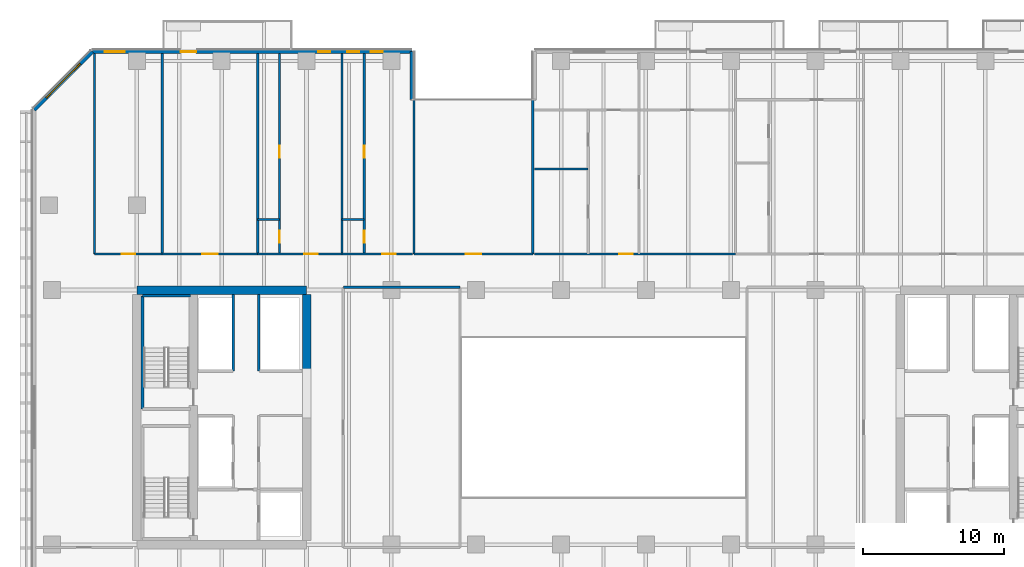
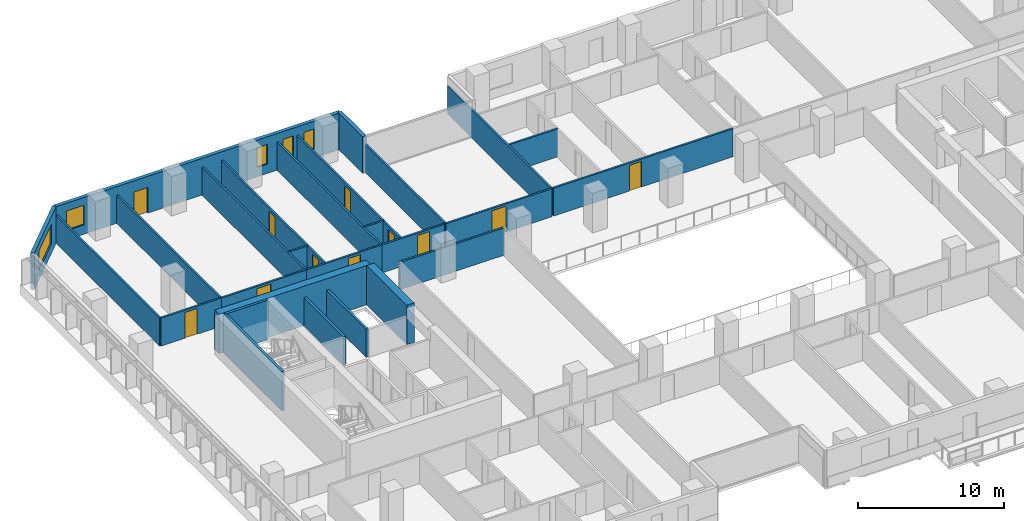
# One storey, part 13 of 26: 27 walls, 11 doors, 5 windows, 16 openings.
"""IFC4 building model written with IfcOpenShell, lengths in metres."""

from ifc_helpers import new_model, si_unit, direction, frame, frame_2d, origin, place, context, subcontext, project, spatial, rectangle, extrude, material, layer, layer_set, type_object, element, fill, save


model = new_model("IFC4")

# Units and contexts
model_context = context("Model", 3, precision=1e-05, world=origin(), true_north=direction((0.0, 1.0)))
body_context = subcontext(model_context, "Body", "Model", "MODEL_VIEW")
ifc_project = project(units=[si_unit("LENGTHUNIT", "METRE"), si_unit("AREAUNIT", "SQUARE_METRE"), si_unit("VOLUMEUNIT", "CUBIC_METRE"), si_unit("PLANEANGLEUNIT", "RADIAN"), si_unit("MASSUNIT", "GRAM", prefix="KILO")], contexts=[model_context])

# Site, building, storey
site_placement = place(None, origin())
site = spatial("IfcSite", under=ifc_project, at=site_placement, CompositionType="ELEMENT")
building_placement = place(site_placement, origin())
building = spatial("IfcBuilding", under=site, at=building_placement, Name="Tanjung Sevakor Pilgrim Tower", CompositionType="ELEMENT")
storey_placement = place(building_placement, frame((0.0, 0.0, 48.840087890625)))
storey = spatial("IfcBuildingStorey", under=building, at=storey_placement, Name="L13", CompositionType="ELEMENT", Elevation=48.840087890625)

# Walls
ifc_material_1 = material(Name="Concrete C60/75", Category="concrete")
ifc_layer_1 = layer(ifc_material_1, 0.60009765625)
ifc_layer_set_1 = layer_set([ifc_layer_1], Name="WALL-CW-600")
wall_type_1 = type_object("IfcWallType", Name="WALL-CW-600", PredefinedType="SHEAR", material=ifc_layer_set_1)
wall_1_placement = place(storey_placement, frame((36.0, 42.60009765625, 0.0), z_axis=(0.0, 0.0, 1.0), x_axis=(-1.0, 0.0, 0.0)))
element("IfcWall", 1, at=wall_1_placement, inside=storey, type_object=wall_type_1, Name="L13 W Core North Shear Wall", PredefinedType="SHEAR", context=body_context, shape_type="SweptSolid", body=[
    extrude(rectangle(XDim=12.0, YDim=0.60009765625, at=frame_2d((6.0, 0.0))), origin(), (0.0, 0.0, 1.0), 3.2998046875),
])
wall_2_placement = place(storey_placement, frame((36.0, 36.800048828125, 0.0), z_axis=(0.0, 0.0, 1.0), x_axis=(0.0, 1.0, 0.0)))
element("IfcWall", 2, at=wall_2_placement, inside=storey, type_object=wall_type_1, Name="L13 W Core Inner Shear Wall North", PredefinedType="SHEAR", context=body_context, shape_type="SweptSolid", body=[
    extrude(rectangle(XDim=5.5, YDim=0.60009765625, at=frame_2d((2.75, 0.0))), origin(), (0.0, 0.0, 1.0), 3.2998046875),
])
ifc_material_2 = material(Name="Concrete C40/50", Category="concrete")
ifc_layer_2 = layer(ifc_material_2, 0.14990234375)
ifc_layer_set_2 = layer_set([ifc_layer_2], Name="WT-COMP-150")
wall_type_2 = type_object("IfcWallType", Name="WT-COMP-150", PredefinedType="SOLIDWALL", material=ifc_layer_set_2)
wall_3_placement = place(storey_placement, frame((38.60009765625, 42.800048828125, 0.0), z_axis=(0.0, 0.0, 1.0), x_axis=(1.0, 0.0, 0.0)))
element("IfcWall", 3, at=wall_3_placement, inside=storey, type_object=wall_type_2, Name="L13 Partition IW-L13-022", PredefinedType="SOLIDWALL", context=body_context, shape_type="SweptSolid", body=[
    extrude(rectangle(XDim=8.25, YDim=0.14990234375, at=frame_2d((4.125, 0.0))), origin(), (0.0, 0.0, 1.0), 2.295166015625),
])

# Wall, opening, door
wall_4_placement = place(storey_placement, frame((43.60009765625, 45.14990234375, 0.0), z_axis=(0.0, 0.0, 1.0), x_axis=(1.0, 0.0, 0.0)))
wall_4 = element("IfcWall", 4, at=wall_4_placement, inside=storey, type_object=wall_type_2, Name="L13 Partition IW-L13-039", PredefinedType="SOLIDWALL", context=body_context, shape_type="SweptSolid", body=[
    extrude(rectangle(XDim=8.39990234375, YDim=0.14990234375, at=frame_2d((4.199951171875, 0.0))), origin(), (0.0, 0.0, 1.0), 2.35009765625),
])
opening_1_placement = place(wall_4_placement, frame((3.64990234375, 0.0, 0.0)))
opening_1 = element("IfcOpeningElement", 5, at=opening_1_placement, cuts=wall_4, Name="Opening ID-RM2", PredefinedType="OPENING", context=body_context, shape_type="SweptSolid", body=[
    extrude(rectangle(XDim=1.10009765625, YDim=2.14990234375, at=frame_2d((0.550048828125, 1.074951171875))), frame((0.0, 0.0849609375, 0.0), z_axis=(0.0, -1.0, 0.0), x_axis=(1.0, 0.0, 0.0)), (0.0, 0.0, 1.0), 0.169921875),
])
ifc_material_3 = material(Name="Hardwood Timber", Category="wood")
door_type_1 = type_object("IfcDoorType", Name="DT-INT-1100", OperationType="NOTDEFINED", PredefinedType="DOOR", material=ifc_material_3)
door_1_placement = place(opening_1_placement, origin())
door_1 = element("IfcDoor", 6, at=door_1_placement, inside=storey, type_object=door_type_1, Name="L13 North Cleft Seminar Room Door", OperationType="SINGLE_SWING_LEFT", OverallHeight=2.14990234375, OverallWidth=1.10009765625, PredefinedType="DOOR", context=body_context, shape_type="SweptSolid", body=[
    extrude(rectangle(XDim=1.10009765625, YDim=2.14990234375, at=frame_2d((0.550048828125, 1.074951171875))), frame((0.0, 0.02490234375, 0.0), z_axis=(0.0, -1.0, 0.0), x_axis=(1.0, 0.0, 0.0)), (0.0, 0.0, 1.0), 0.050048828125),
])
fill(opening_1, door_1)

# Walls
for number, where, z_axis, x_axis, name in (
    (7, (43.60009765625, 45.14990234375, 0.0), (0.0, 0.0, 1.0), (0.0, 1.0, 0.0), "L13 Partition IW-L13-040"),
    (8, (52.0, 45.14990234375, 0.0), (0.0, 0.0, 1.0), (0.0, 1.0, 0.0), "L13 Partition IW-L13-041"),
    (9, (21.0, 45.14990234375, 0.0), (0.0, 0.0, 1.0), (0.0, 1.0, 0.0), "L13 Partition IW-L13-077"),
    (10, (25.798095703125, 45.14990234375, 0.0), (0.0, 0.0, 1.0), (0.0, 1.0, 0.0), "L13 Partition IW-L13-078"),
):
    element("IfcWall", number, at=place(storey_placement, frame(where, z_axis=z_axis, x_axis=x_axis)), inside=storey, type_object=wall_type_2, Name=name, PredefinedType="SOLIDWALL", context=body_context, shape_type="SweptSolid", body=[
        extrude(rectangle(XDim=14.170166015625, YDim=0.14990234375, at=frame_2d((7.0849609375, 0.0))), origin(), (0.0, 0.0, 1.0), 2.35009765625),
    ])

# Wall, opening, door
wall_5_placement = place(storey_placement, frame((21.0, 45.14990234375, 0.0), z_axis=(0.0, 0.0, 1.0), x_axis=(1.0, 0.0, 0.0)))
wall_5 = element("IfcWall", 11, at=wall_5_placement, inside=storey, type_object=wall_type_2, Name="L13 Partition IW-L13-079", PredefinedType="SOLIDWALL", context=body_context, shape_type="SweptSolid", body=[
    extrude(rectangle(XDim=4.798095703125, YDim=0.14990234375, at=frame_2d((2.39892578125, 0.0))), origin(), (0.0, 0.0, 1.0), 2.35009765625),
])
opening_2_placement = place(wall_5_placement, frame((1.924072265625, 0.0, 0.0)))
opening_2 = element("IfcOpeningElement", 12, at=opening_2_placement, cuts=wall_5, Name="Opening ID-FD2", PredefinedType="OPENING", context=body_context, shape_type="SweptSolid", body=[
    extrude(rectangle(XDim=0.949951171875, YDim=2.14990234375, at=frame_2d((0.47509765625, 1.074951171875))), frame((0.0, 0.0849609375, 0.0), z_axis=(0.0, -1.0, 0.0), x_axis=(1.0, 0.0, 0.0)), (0.0, 0.0, 1.0), 0.169921875),
])
ifc_material_4 = material(Name="Fire-Rated Timber", Category="wood")
door_type_2 = type_object("IfcDoorType", Name="DT-FIRE-950", OperationType="NOTDEFINED", PredefinedType="DOOR", material=ifc_material_4)
door_2_placement = place(opening_2_placement, origin())
door_2 = element("IfcDoor", 13, at=door_2_placement, inside=storey, type_object=door_type_2, Name="Study Room Entrance", OperationType="SINGLE_SWING_RIGHT", OverallHeight=2.14990234375, OverallWidth=0.949951171875, PredefinedType="DOOR", context=body_context, shape_type="SweptSolid", body=[
    extrude(rectangle(XDim=0.949951171875, YDim=2.14990234375, at=frame_2d((0.47509765625, 1.074951171875))), frame((0.0, 0.02490234375, 0.0), z_axis=(0.0, -1.0, 0.0), x_axis=(1.0, 0.0, 0.0)), (0.0, 0.0, 1.0), 0.050048828125),
])
fill(opening_2, door_2)

# Wall
wall_6_placement = place(storey_placement, frame((32.551025390625, 45.14990234375, 0.0), z_axis=(0.0, 0.0, 1.0), x_axis=(0.0, 1.0, 0.0)))
element("IfcWall", 14, at=wall_6_placement, inside=storey, type_object=wall_type_2, Name="L13 Partition IW-L13-080", PredefinedType="SOLIDWALL", context=body_context, shape_type="SweptSolid", body=[
    extrude(rectangle(XDim=14.170166015625, YDim=0.14990234375, at=frame_2d((7.0849609375, 0.0))), origin(), (0.0, 0.0, 1.0), 2.35009765625),
])

# Wall, opening, door
wall_7_placement = place(storey_placement, frame((25.798095703125, 45.14990234375, 0.0), z_axis=(0.0, 0.0, 1.0), x_axis=(1.0, 0.0, 0.0)))
wall_7 = element("IfcWall", 15, at=wall_7_placement, inside=storey, type_object=wall_type_2, Name="L13 Partition IW-L13-081", PredefinedType="SOLIDWALL", context=body_context, shape_type="SweptSolid", body=[
    extrude(rectangle(XDim=6.7529296875, YDim=0.14990234375, at=frame_2d((3.37646484375, 0.0))), origin(), (0.0, 0.0, 1.0), 2.35009765625),
])
opening_3_placement = place(wall_7_placement, frame((2.826416015625, 0.0, 0.0)))
opening_3 = element("IfcOpeningElement", 16, at=opening_3_placement, cuts=wall_7, Name="Opening ID-FD0", PredefinedType="OPENING", context=body_context, shape_type="SweptSolid", body=[
    extrude(rectangle(XDim=1.10009765625, YDim=2.14990234375, at=frame_2d((0.550048828125, 1.074951171875))), frame((0.0, 0.0849609375, 0.0), z_axis=(0.0, -1.0, 0.0), x_axis=(1.0, 0.0, 0.0)), (0.0, 0.0, 1.0), 0.169921875),
])
ifc_material_5 = material(Name="Fire-Rated Steel S355J2", Category="steel")
door_type_3 = type_object("IfcDoorType", Name="DT-FIRE-1100", OperationType="NOTDEFINED", PredefinedType="DOOR", material=ifc_material_5)
door_3_placement = place(opening_3_placement, origin())
door_3 = element("IfcDoor", 17, at=door_3_placement, inside=storey, type_object=door_type_3, Name="Communal Lounge Door", OperationType="SINGLE_SWING_LEFT", OverallHeight=2.14990234375, OverallWidth=1.10009765625, PredefinedType="DOOR", context=body_context, shape_type="SweptSolid", body=[
    extrude(rectangle(XDim=1.10009765625, YDim=2.14990234375, at=frame_2d((0.550048828125, 1.074951171875))), frame((0.0, 0.02490234375, 0.0), z_axis=(0.0, -1.0, 0.0), x_axis=(1.0, 0.0, 0.0)), (0.0, 0.0, 1.0), 0.050048828125),
])
fill(opening_3, door_3)

# Wall
wall_8_placement = place(storey_placement, frame((38.504150390625, 45.14990234375, 0.0), z_axis=(0.0, 0.0, 1.0), x_axis=(0.0, 1.0, 0.0)))
element("IfcWall", 18, at=wall_8_placement, inside=storey, type_object=wall_type_2, Name="L13 Partition IW-L13-082", PredefinedType="SOLIDWALL", context=body_context, shape_type="SweptSolid", body=[
    extrude(rectangle(XDim=14.170166015625, YDim=0.14990234375, at=frame_2d((7.0849609375, 0.0))), origin(), (0.0, 0.0, 1.0), 2.35009765625),
])

# Wall, opening, door
wall_9_placement = place(storey_placement, frame((32.551025390625, 45.14990234375, 0.0), z_axis=(0.0, 0.0, 1.0), x_axis=(1.0, 0.0, 0.0)))
wall_9 = element("IfcWall", 19, at=wall_9_placement, inside=storey, type_object=wall_type_2, Name="L13 Partition IW-L13-085", PredefinedType="SOLIDWALL", context=body_context, shape_type="SweptSolid", body=[
    extrude(rectangle(XDim=5.953125, YDim=0.14990234375, at=frame_2d((2.9765625, 0.0))), origin(), (0.0, 0.0, 1.0), 2.35009765625),
])
opening_4_placement = place(wall_9_placement, frame((3.30615234375, 0.0, 0.0)))
opening_4 = element("IfcOpeningElement", 20, at=opening_4_placement, cuts=wall_9, Name="Opening ID-FD2", PredefinedType="OPENING", context=body_context, shape_type="SweptSolid", body=[
    extrude(rectangle(XDim=0.949951171875, YDim=2.14990234375, at=frame_2d((0.47509765625, 1.074951171875))), frame((0.0, 0.0849609375, 0.0), z_axis=(0.0, -1.0, 0.0), x_axis=(1.0, 0.0, 0.0)), (0.0, 0.0, 1.0), 0.169921875),
])
door_4_placement = place(opening_4_placement, origin())
door_4 = element("IfcDoor", 21, at=door_4_placement, inside=storey, type_object=door_type_2, Name="Hotel Guestroom Entrance", OperationType="SINGLE_SWING_RIGHT", OverallHeight=2.14990234375, OverallWidth=0.949951171875, PredefinedType="DOOR", context=body_context, shape_type="SweptSolid", body=[
    extrude(rectangle(XDim=0.949951171875, YDim=2.14990234375, at=frame_2d((0.47509765625, 1.074951171875))), frame((0.0, 0.02490234375, 0.0), z_axis=(0.0, -1.0, 0.0), x_axis=(1.0, 0.0, 0.0)), (0.0, 0.0, 1.0), 0.050048828125),
])
fill(opening_4, door_4)

wall_10_placement = place(storey_placement, frame((38.504150390625, 45.14990234375, 0.0), z_axis=(0.0, 0.0, 1.0), x_axis=(1.0, 0.0, 0.0)))
wall_10 = element("IfcWall", 22, at=wall_10_placement, inside=storey, type_object=wall_type_2, Name="L13 Partition IW-L13-088", PredefinedType="SOLIDWALL", context=body_context, shape_type="SweptSolid", body=[
    extrude(rectangle(XDim=4.975830078125, YDim=0.14990234375, at=frame_2d((2.48779296875, 0.0))), origin(), (0.0, 0.0, 1.0), 2.35009765625),
])
opening_5_placement = place(wall_10_placement, frame((2.8408203125, 0.0, 0.0)))
opening_5 = element("IfcOpeningElement", 23, at=opening_5_placement, cuts=wall_10, Name="Opening ID-FD2", PredefinedType="OPENING", context=body_context, shape_type="SweptSolid", body=[
    extrude(rectangle(XDim=0.949951171875, YDim=2.14990234375, at=frame_2d((0.47509765625, 1.074951171875))), frame((0.0, 0.0849609375, 0.0), z_axis=(0.0, -1.0, 0.0), x_axis=(1.0, 0.0, 0.0)), (0.0, 0.0, 1.0), 0.169921875),
])
door_5_placement = place(opening_5_placement, origin())
door_5 = element("IfcDoor", 24, at=door_5_placement, inside=storey, type_object=door_type_2, Name="Hostel Quad Entrance", OperationType="SINGLE_SWING_LEFT", OverallHeight=2.14990234375, OverallWidth=0.949951171875, PredefinedType="DOOR", context=body_context, shape_type="SweptSolid", body=[
    extrude(rectangle(XDim=0.949951171875, YDim=2.14990234375, at=frame_2d((0.47509765625, 1.074951171875))), frame((0.0, 0.02490234375, 0.0), z_axis=(0.0, -1.0, 0.0), x_axis=(1.0, 0.0, 0.0)), (0.0, 0.0, 1.0), 0.050048828125),
])
fill(opening_5, door_5)

wall_11_placement = place(storey_placement, frame((52.1201171875, 45.14990234375, 0.0), z_axis=(0.0, 0.0, 1.0), x_axis=(1.0, 0.0, 0.0)))
wall_11 = element("IfcWall", 25, at=wall_11_placement, inside=storey, type_object=wall_type_2, Name="L13 Partition IW-L13-096", PredefinedType="SOLIDWALL", context=body_context, shape_type="SweptSolid", body=[
    extrude(rectangle(XDim=14.22119140625, YDim=0.14990234375, at=frame_2d((7.110595703125, 0.0))), origin(), (0.0, 0.0, 1.0), 2.35009765625),
])
opening_6_placement = place(wall_11_placement, frame((5.995361328125, 0.0, 0.0)))
opening_6 = element("IfcOpeningElement", 26, at=opening_6_placement, cuts=wall_11, Name="Opening ID-FD2", PredefinedType="OPENING", context=body_context, shape_type="SweptSolid", body=[
    extrude(rectangle(XDim=0.949951171875, YDim=2.14990234375, at=frame_2d((0.47509765625, 1.074951171875))), frame((0.0, 0.0849609375, 0.0), z_axis=(0.0, -1.0, 0.0), x_axis=(1.0, 0.0, 0.0)), (0.0, 0.0, 1.0), 0.169921875),
])
door_6_placement = place(opening_6_placement, origin())
door_6 = element("IfcDoor", 27, at=door_6_placement, inside=storey, type_object=door_type_2, Name="Suite Entrance", OperationType="SINGLE_SWING_LEFT", OverallHeight=2.14990234375, OverallWidth=0.949951171875, PredefinedType="DOOR", context=body_context, shape_type="SweptSolid", body=[
    extrude(rectangle(XDim=0.949951171875, YDim=2.14990234375, at=frame_2d((0.47509765625, 1.074951171875))), frame((0.0, 0.02490234375, 0.0), z_axis=(0.0, -1.0, 0.0), x_axis=(1.0, 0.0, 0.0)), (0.0, 0.0, 1.0), 0.050048828125),
])
fill(opening_6, door_6)

# Wall
ifc_material_6 = material(Name="Precast concrete C45/55", Category="concrete")
ifc_layer_3 = layer(ifc_material_6, 0.280029296875)
ifc_layer_set_3 = layer_set([ifc_layer_3], Name="WT-EW-STN2")
wall_type_3 = type_object("IfcWallType", Name="WT-EW-STN2", PredefinedType="SOLIDWALL", material=ifc_layer_set_3)
wall_12_placement = place(storey_placement, frame((43.4599609375, 56.06005859375, 0.0), z_axis=(0.0, 0.0, 1.0), x_axis=(0.0, 1.0, 0.0)))
element("IfcWall", 28, at=wall_12_placement, inside=storey, type_object=wall_type_3, Name="L13 MAIN Exterior Wall 12", PredefinedType="SOLIDWALL", context=body_context, shape_type="SweptSolid", body=[
    extrude(rectangle(XDim=3.39990234375, YDim=0.280029296875, at=frame_2d((1.699951171875, 0.0))), origin(), (0.0, 0.0, 1.0), 3.080078125),
])

# Wall, openings, door, windows
wall_13_placement = place(storey_placement, frame((43.4599609375, 59.4599609375, 0.0), z_axis=(0.0, 0.0, 1.0), x_axis=(-1.0, 0.0, 0.0)))
wall_13 = element("IfcWall", 29, at=wall_13_placement, inside=storey, type_object=wall_type_3, Name="L13 MAIN Exterior Wall 13", PredefinedType="SOLIDWALL", context=body_context, shape_type="SweptSolid", body=[
    extrude(rectangle(XDim=22.60205078125, YDim=0.280029296875, at=frame_2d((11.301025390625, 0.0))), origin(), (0.0, 0.0, 1.0), 3.080078125),
])
opening_7_placement = place(wall_13_placement, frame((15.260009765625, 0.0, 0.0)))
opening_7 = element("IfcOpeningElement", 30, at=opening_7_placement, cuts=wall_13, Name="Opening ED-BAL-1100", PredefinedType="OPENING", context=body_context, shape_type="SweptSolid", body=[
    extrude(rectangle(XDim=1.10009765625, YDim=2.14990234375, at=frame_2d((0.550048828125, 1.074951171875))), frame((0.0, 0.14990234375, 0.0), z_axis=(0.0, -1.0, 0.0), x_axis=(1.0, 0.0, 0.0)), (0.0, 0.0, 1.0), 0.300048828125),
])
opening_8_placement = place(wall_13_placement, frame((20.321044921875, 0.0, 0.780029296875)))
opening_8 = element("IfcOpeningElement", 31, at=opening_8_placement, cuts=wall_13, Name="Opening WN-END", PredefinedType="OPENING", context=body_context, shape_type="SweptSolid", body=[
    extrude(rectangle(XDim=1.39990234375, YDim=1.64990234375, at=frame_2d((0.699951171875, 0.824951171875))), frame((0.0, 0.14990234375, 0.0), z_axis=(0.0, -1.0, 0.0), x_axis=(1.0, 0.0, 0.0)), (0.0, 0.0, 1.0), 0.300048828125),
])
opening_9_placement = place(wall_13_placement, frame((5.79296875, 0.0, 0.780029296875)))
opening_9 = element("IfcOpeningElement", 32, at=opening_9_placement, cuts=wall_13, Name="Opening WN-SLM", PredefinedType="OPENING", context=body_context, shape_type="SweptSolid", body=[
    extrude(rectangle(XDim=0.85009765625, YDim=1.64990234375, at=frame_2d((0.425048828125, 0.824951171875))), frame((0.0, 0.14990234375, 0.0), z_axis=(0.0, -1.0, 0.0), x_axis=(1.0, 0.0, 0.0)), (0.0, 0.0, 1.0), 0.300048828125),
])
opening_10_placement = place(wall_13_placement, frame((3.73291015625, 0.0, 0.780029296875)))
opening_10 = element("IfcOpeningElement", 33, at=opening_10_placement, cuts=wall_13, Name="Opening WN-SLM", PredefinedType="OPENING", context=body_context, shape_type="SweptSolid", body=[
    extrude(rectangle(XDim=0.85009765625, YDim=1.64990234375, at=frame_2d((0.425048828125, 0.824951171875))), frame((0.0, 0.14990234375, 0.0), z_axis=(0.0, -1.0, 0.0), x_axis=(1.0, 0.0, 0.0)), (0.0, 0.0, 1.0), 0.300048828125),
])
opening_11_placement = place(wall_13_placement, frame((2.06494140625, 0.0, 0.780029296875)))
opening_11 = element("IfcOpeningElement", 34, at=opening_11_placement, cuts=wall_13, Name="Opening WN-SLM", PredefinedType="OPENING", context=body_context, shape_type="SweptSolid", body=[
    extrude(rectangle(XDim=0.85009765625, YDim=1.64990234375, at=frame_2d((0.425048828125, 0.824951171875))), frame((0.0, 0.14990234375, 0.0), z_axis=(0.0, -1.0, 0.0), x_axis=(1.0, 0.0, 0.0)), (0.0, 0.0, 1.0), 0.300048828125),
])
ifc_material_7 = material(Name="Anodised Aluminium and Laminated Glass", Category="aluminium")
door_type_4 = type_object("IfcDoorType", Name="DTYP-ED-BAL-1100", OperationType="NOTDEFINED", PredefinedType="DOOR", material=ifc_material_7)
door_7_placement = place(opening_7_placement, frame((1.10009765625, 0.0, 0.0), z_axis=(0.0, 0.0, 1.0), x_axis=(-1.0, 0.0, 0.0)))
door_7 = element("IfcDoor", 35, at=door_7_placement, inside=storey, type_object=door_type_4, Name="L13 Balcony Door MAIN-N1", OperationType="SINGLE_SWING_LEFT", OverallHeight=2.14990234375, OverallWidth=1.10009765625, PredefinedType="DOOR", context=body_context, shape_type="SweptSolid", body=[
    extrude(rectangle(XDim=1.10009765625, YDim=2.14990234375, at=frame_2d((0.550048828125, 1.074951171875))), frame((0.0, 0.02490234375, 0.0), z_axis=(0.0, -1.0, 0.0), x_axis=(1.0, 0.0, 0.0)), (0.0, 0.0, 1.0), 0.050048828125),
])
fill(opening_7, door_7)
ifc_material_8 = material(Name="Thermally Broken Aluminium and Low-E Glass", Category="aluminium")
window_type_1 = type_object("IfcWindowType", Name="WTYP-WN-END", PartitioningType="SINGLE_PANEL", PredefinedType="WINDOW", material=ifc_material_8)
window_1_placement = place(opening_8_placement, origin())
window_1 = element("IfcWindow", 36, at=window_1_placement, inside=storey, type_object=window_type_1, Name="L13 Facade Window 01", OverallHeight=1.64990234375, OverallWidth=1.39990234375, PartitioningType="SINGLE_PANEL", PredefinedType="WINDOW", context=body_context, shape_type="SweptSolid", body=[
    extrude(rectangle(XDim=1.39990234375, YDim=1.64990234375, at=frame_2d((0.699951171875, 0.824951171875))), frame((0.0, 0.030029296875, 0.0), z_axis=(0.0, -1.0, 0.0), x_axis=(1.0, 0.0, 0.0)), (0.0, 0.0, 1.0), 0.06005859375),
])
fill(opening_8, window_1)
ifc_material_9 = material(Name="Thermally Broken Aluminium and Low-E Glass", Category="aluminium")
window_type_2 = type_object("IfcWindowType", Name="WTYP-WN-SLM", PartitioningType="SINGLE_PANEL", PredefinedType="WINDOW", material=ifc_material_9)
window_2_placement = place(opening_9_placement, origin())
window_2 = element("IfcWindow", 37, at=window_2_placement, inside=storey, type_object=window_type_2, Name="L13 Facade Window 02", OverallHeight=1.64990234375, OverallWidth=0.85009765625, PartitioningType="SINGLE_PANEL", PredefinedType="WINDOW", context=body_context, shape_type="SweptSolid", body=[
    extrude(rectangle(XDim=0.85009765625, YDim=1.64990234375, at=frame_2d((0.425048828125, 0.824951171875))), frame((0.0, 0.030029296875, 0.0), z_axis=(0.0, -1.0, 0.0), x_axis=(1.0, 0.0, 0.0)), (0.0, 0.0, 1.0), 0.06005859375),
])
fill(opening_9, window_2)
window_3_placement = place(opening_10_placement, origin())
window_3 = element("IfcWindow", 38, at=window_3_placement, inside=storey, type_object=window_type_2, Name="L13 Facade Window 03", OverallHeight=1.64990234375, OverallWidth=0.85009765625, PartitioningType="SINGLE_PANEL", PredefinedType="WINDOW", context=body_context, shape_type="SweptSolid", body=[
    extrude(rectangle(XDim=0.85009765625, YDim=1.64990234375, at=frame_2d((0.425048828125, 0.824951171875))), frame((0.0, 0.030029296875, 0.0), z_axis=(0.0, -1.0, 0.0), x_axis=(1.0, 0.0, 0.0)), (0.0, 0.0, 1.0), 0.06005859375),
])
fill(opening_10, window_3)
window_4_placement = place(opening_11_placement, origin())
window_4 = element("IfcWindow", 39, at=window_4_placement, inside=storey, type_object=window_type_2, Name="L13 Facade Window 04", OverallHeight=1.64990234375, OverallWidth=0.85009765625, PartitioningType="SINGLE_PANEL", PredefinedType="WINDOW", context=body_context, shape_type="SweptSolid", body=[
    extrude(rectangle(XDim=0.85009765625, YDim=1.64990234375, at=frame_2d((0.425048828125, 0.824951171875))), frame((0.0, 0.030029296875, 0.0), z_axis=(0.0, -1.0, 0.0), x_axis=(1.0, 0.0, 0.0)), (0.0, 0.0, 1.0), 0.06005859375),
])
fill(opening_11, window_4)

# Wall, opening, window
wall_14_placement = place(storey_placement, frame((20.85791015625, 59.4599609375, 0.0), z_axis=(0.0, 0.0, 1.0), x_axis=(-0.707106781187, -0.707106781187, 0.0)))
wall_14 = element("IfcWall", 40, at=wall_14_placement, inside=storey, type_object=wall_type_3, Name="L13 MAIN Sculpted Corner Wall 13", PredefinedType="SOLIDWALL", context=body_context, shape_type="SweptSolid", body=[
    extrude(rectangle(XDim=5.82373046875, YDim=0.280029296875, at=frame_2d((2.911865234375, 0.0))), origin(), (0.0, 0.0, 1.0), 3.080078125),
])
opening_12_placement = place(wall_14_placement, frame((1.2119140625, 0.0, 0.780029296875)))
opening_12 = element("IfcOpeningElement", 41, at=opening_12_placement, cuts=wall_14, Name="Opening WN-CHM-1660", PredefinedType="OPENING", context=body_context, shape_type="SweptSolid", body=[
    extrude(rectangle(XDim=3.39990234375, YDim=1.659912109375, at=frame_2d((1.699951171875, 0.830078125))), frame((0.0, 0.14990234375, 0.0), z_axis=(0.0, -1.0, 0.0), x_axis=(1.0, 0.0, 0.0)), (0.0, 0.0, 1.0), 0.300048828125),
])
ifc_material_10 = material(Name="Thermally Broken Aluminium and Low-E Glass", Category="aluminium")
window_type_3 = type_object("IfcWindowType", Name="WTYP-WN-CHM-1660", PartitioningType="DOUBLE_PANEL_VERTICAL", PredefinedType="WINDOW", material=ifc_material_10)
window_5_placement = place(opening_12_placement, origin())
window_5 = element("IfcWindow", 42, at=window_5_placement, inside=storey, type_object=window_type_3, Name="L13 Facade Window 01", OverallHeight=1.659912109375, OverallWidth=3.39990234375, PartitioningType="SINGLE_PANEL", PredefinedType="WINDOW", context=body_context, shape_type="SweptSolid", body=[
    extrude(rectangle(XDim=3.39990234375, YDim=1.659912109375, at=frame_2d((1.699951171875, 0.830078125))), frame((0.0, 0.030029296875, 0.0), z_axis=(0.0, -1.0, 0.0), x_axis=(1.0, 0.0, 0.0)), (0.0, 0.0, 1.0), 0.06005859375),
])
fill(opening_12, window_5)

# Walls
ifc_material_11 = material(Name="Concrete C40/50", Category="concrete")
ifc_layer_4 = layer(ifc_material_11, 0.199951171875)
ifc_layer_set_4 = layer_set([ifc_layer_4], Name="WT-FIRE-200")
wall_type_4 = type_object("IfcWallType", Name="WT-FIRE-200", PredefinedType="SOLIDWALL", material=ifc_layer_set_4)
wall_15_placement = place(storey_placement, frame((27.800048828125, 42.199951171875, 0.0), z_axis=(0.0, 0.0, 1.0), x_axis=(-1.0, 0.0, 0.0)))
element("IfcWall", 43, at=wall_15_placement, inside=storey, type_object=wall_type_4, Name="L13 TS-W2 Shaft Wall 2", PredefinedType="SOLIDWALL", context=body_context, shape_type="SweptSolid", body=[
    extrude(rectangle(XDim=3.400146484375, YDim=0.199951171875, at=frame_2d((1.7001953125, 0.0))), origin(), (0.0, 0.0, 1.0), 3.2998046875),
])
wall_16_placement = place(storey_placement, frame((24.39990234375, 42.199951171875, 0.0), z_axis=(0.0, 0.0, 1.0), x_axis=(0.0, -1.0, 0.0)))
element("IfcWall", 44, at=wall_16_placement, inside=storey, type_object=wall_type_4, Name="L13 TS-W2 Shaft Wall 3", PredefinedType="SOLIDWALL", context=body_context, shape_type="SweptSolid", body=[
    extrude(rectangle(XDim=8.0, YDim=0.199951171875, at=frame_2d((4.0, 0.0))), origin(), (0.0, 0.0, 1.0), 3.2998046875),
])
ifc_material_12 = material(Name="Concrete C40/50", Category="concrete")
ifc_layer_5 = layer(ifc_material_12, 0.199951171875)
ifc_layer_set_5 = layer_set([ifc_layer_5], Name="WT-FPRT-200")
wall_type_5 = type_object("IfcWallType", Name="WT-FPRT-200", PredefinedType="SOLIDWALL", material=ifc_layer_set_5)
for number, where, z_axis, x_axis, name in (
    (45, (30.820068359375, 36.8798828125, 0.0), (0.0, 0.0, 1.0), (0.0, 1.0, 0.0), "L13 Partition IW-L13-008"),
    (46, (32.6201171875, 36.8798828125, 0.0), (0.0, 0.0, 1.0), (0.0, 1.0, 0.0), "L13 Partition IW-L13-010"),
):
    element("IfcWall", number, at=place(storey_placement, frame(where, z_axis=z_axis, x_axis=x_axis)), inside=storey, type_object=wall_type_5, Name=name, PredefinedType="SOLIDWALL", context=body_context, shape_type="SweptSolid", body=[
        extrude(rectangle(XDim=5.420166015625, YDim=0.199951171875, at=frame_2d((2.7099609375, 0.0))), origin(), (0.0, 0.0, 1.0), 2.35009765625),
    ])
ifc_material_13 = material(Name="Gypsum Board Partition", Category="gypsum board")
ifc_layer_6 = layer(ifc_material_13, 0.14990234375)
ifc_layer_set_6 = layer_set([ifc_layer_6], Name="WT-PART-150")
wall_type_6 = type_object("IfcWallType", Name="WT-PART-150", PredefinedType="PARTITIONING", material=ifc_layer_set_6)
wall_17_placement = place(storey_placement, frame((32.551025390625, 47.60009765625, 0.0), z_axis=(0.0, 0.0, 1.0), x_axis=(1.0, 0.0, 0.0)))
element("IfcWall", 47, at=wall_17_placement, inside=storey, type_object=wall_type_6, Name="L13 Partition IW-L13-083", PredefinedType="PARTITIONING", context=body_context, shape_type="SweptSolid", body=[
    extrude(rectangle(XDim=1.529052734375, YDim=0.14990234375, at=frame_2d((0.7646484375, 0.0))), origin(), (0.0, 0.0, 1.0), 2.35009765625),
])

# Wall, openings, doors
wall_18_placement = place(storey_placement, frame((34.080078125, 45.14990234375, 0.0), z_axis=(0.0, 0.0, 1.0), x_axis=(0.0, 1.0, 0.0)))
wall_18 = element("IfcWall", 48, at=wall_18_placement, inside=storey, type_object=wall_type_6, Name="L13 Partition IW-L13-084", PredefinedType="PARTITIONING", context=body_context, shape_type="SweptSolid", body=[
    extrude(rectangle(XDim=14.170166015625, YDim=0.14990234375, at=frame_2d((7.0849609375, 0.0))), origin(), (0.0, 0.0, 1.0), 2.35009765625),
])
opening_13_placement = place(wall_18_placement, frame((0.800048828125, 0.0, 0.0)))
opening_13 = element("IfcOpeningElement", 49, at=opening_13_placement, cuts=wall_18, Name="Opening ID-WC1", PredefinedType="OPENING", context=body_context, shape_type="SweptSolid", body=[
    extrude(rectangle(XDim=0.85009765625, YDim=2.10009765625, at=frame_2d((0.425048828125, 1.050048828125))), frame((0.0, 0.0849609375, 0.0), z_axis=(0.0, -1.0, 0.0), x_axis=(1.0, 0.0, 0.0)), (0.0, 0.0, 1.0), 0.169921875),
])
opening_14_placement = place(wall_18_placement, frame((6.798095703125, 0.0, 0.0)))
opening_14 = element("IfcOpeningElement", 50, at=opening_14_placement, cuts=wall_18, Name="Opening ID-WC1", PredefinedType="OPENING", context=body_context, shape_type="SweptSolid", body=[
    extrude(rectangle(XDim=0.85009765625, YDim=2.10009765625, at=frame_2d((0.425048828125, 1.050048828125))), frame((0.0, 0.0849609375, 0.0), z_axis=(0.0, -1.0, 0.0), x_axis=(1.0, 0.0, 0.0)), (0.0, 0.0, 1.0), 0.169921875),
])
ifc_material_14 = material(Name="Moisture-Resistant Timber", Category="wood")
door_type_5 = type_object("IfcDoorType", Name="DT-INT-850", OperationType="NOTDEFINED", PredefinedType="DOOR", material=ifc_material_14)
door_8_placement = place(opening_13_placement, origin())
door_8 = element("IfcDoor", 51, at=door_8_placement, inside=storey, type_object=door_type_5, Name="Bathroom Door", OperationType="SINGLE_SWING_RIGHT", OverallHeight=2.10009765625, OverallWidth=0.85009765625, PredefinedType="DOOR", context=body_context, shape_type="SweptSolid", body=[
    extrude(rectangle(XDim=0.85009765625, YDim=2.10009765625, at=frame_2d((0.425048828125, 1.050048828125))), frame((0.0, 0.02490234375, 0.0), z_axis=(0.0, -1.0, 0.0), x_axis=(1.0, 0.0, 0.0)), (0.0, 0.0, 1.0), 0.050048828125),
])
fill(opening_13, door_8)
door_9_placement = place(opening_14_placement, origin())
door_9 = element("IfcDoor", 52, at=door_9_placement, inside=storey, type_object=door_type_5, Name="Study Nook Door", OperationType="SINGLE_SWING_LEFT", OverallHeight=2.10009765625, OverallWidth=0.85009765625, PredefinedType="DOOR", context=body_context, shape_type="SweptSolid", body=[
    extrude(rectangle(XDim=0.85009765625, YDim=2.10009765625, at=frame_2d((0.425048828125, 1.050048828125))), frame((0.0, 0.02490234375, 0.0), z_axis=(0.0, -1.0, 0.0), x_axis=(1.0, 0.0, 0.0)), (0.0, 0.0, 1.0), 0.050048828125),
])
fill(opening_14, door_9)

# Wall
wall_19_placement = place(storey_placement, frame((38.504150390625, 47.60009765625, 0.0), z_axis=(0.0, 0.0, 1.0), x_axis=(1.0, 0.0, 0.0)))
element("IfcWall", 53, at=wall_19_placement, inside=storey, type_object=wall_type_6, Name="L13 Partition IW-L13-086", PredefinedType="PARTITIONING", context=body_context, shape_type="SweptSolid", body=[
    extrude(rectangle(XDim=1.575927734375, YDim=0.14990234375, at=frame_2d((0.7880859375, 0.0))), origin(), (0.0, 0.0, 1.0), 2.35009765625),
])

# Wall, openings, doors
wall_20_placement = place(storey_placement, frame((40.080078125, 45.14990234375, 0.0), z_axis=(0.0, 0.0, 1.0), x_axis=(0.0, 1.0, 0.0)))
wall_20 = element("IfcWall", 54, at=wall_20_placement, inside=storey, type_object=wall_type_6, Name="L13 Partition IW-L13-087", PredefinedType="PARTITIONING", context=body_context, shape_type="SweptSolid", body=[
    extrude(rectangle(XDim=14.170166015625, YDim=0.14990234375, at=frame_2d((7.0849609375, 0.0))), origin(), (0.0, 0.0, 1.0), 2.35009765625),
])
opening_15_placement = place(wall_20_placement, frame((0.800048828125, 0.0, 0.0)))
opening_15 = element("IfcOpeningElement", 55, at=opening_15_placement, cuts=wall_20, Name="Opening ID-WC1", PredefinedType="OPENING", context=body_context, shape_type="SweptSolid", body=[
    extrude(rectangle(XDim=0.85009765625, YDim=2.10009765625, at=frame_2d((0.425048828125, 1.050048828125))), frame((0.0, 0.0849609375, 0.0), z_axis=(0.0, -1.0, 0.0), x_axis=(1.0, 0.0, 0.0)), (0.0, 0.0, 1.0), 0.169921875),
])
opening_16_placement = place(wall_20_placement, frame((6.798095703125, 0.0, 0.0)))
opening_16 = element("IfcOpeningElement", 56, at=opening_16_placement, cuts=wall_20, Name="Opening ID-WC1", PredefinedType="OPENING", context=body_context, shape_type="SweptSolid", body=[
    extrude(rectangle(XDim=0.85009765625, YDim=2.10009765625, at=frame_2d((0.425048828125, 1.050048828125))), frame((0.0, 0.0849609375, 0.0), z_axis=(0.0, -1.0, 0.0), x_axis=(1.0, 0.0, 0.0)), (0.0, 0.0, 1.0), 0.169921875),
])
door_10_placement = place(opening_15_placement, origin())
door_10 = element("IfcDoor", 57, at=door_10_placement, inside=storey, type_object=door_type_5, Name="Bathroom Door", OperationType="SINGLE_SWING_LEFT", OverallHeight=2.10009765625, OverallWidth=0.85009765625, PredefinedType="DOOR", context=body_context, shape_type="SweptSolid", body=[
    extrude(rectangle(XDim=0.85009765625, YDim=2.10009765625, at=frame_2d((0.425048828125, 1.050048828125))), frame((0.0, 0.02490234375, 0.0), z_axis=(0.0, -1.0, 0.0), x_axis=(1.0, 0.0, 0.0)), (0.0, 0.0, 1.0), 0.050048828125),
])
fill(opening_15, door_10)
door_11_placement = place(opening_16_placement, origin())
door_11 = element("IfcDoor", 58, at=door_11_placement, inside=storey, type_object=door_type_5, Name="Study Nook Door", OperationType="SINGLE_SWING_RIGHT", OverallHeight=2.10009765625, OverallWidth=0.85009765625, PredefinedType="DOOR", context=body_context, shape_type="SweptSolid", body=[
    extrude(rectangle(XDim=0.85009765625, YDim=2.10009765625, at=frame_2d((0.425048828125, 1.050048828125))), frame((0.0, 0.02490234375, 0.0), z_axis=(0.0, -1.0, 0.0), x_axis=(1.0, 0.0, 0.0)), (0.0, 0.0, 1.0), 0.050048828125),
])
fill(opening_16, door_11)

# Wall
wall_21_placement = place(storey_placement, frame((52.1201171875, 51.15673828125, 0.0), z_axis=(0.0, 0.0, 1.0), x_axis=(1.0, 0.0, 0.0)))
element("IfcWall", 59, at=wall_21_placement, inside=storey, type_object=wall_type_6, Name="L13 Partition IW-L13-092", PredefinedType="PARTITIONING", context=body_context, shape_type="SweptSolid", body=[
    extrude(rectangle(XDim=3.7998046875, YDim=0.14990234375, at=frame_2d((1.89990234375, 0.0))), origin(), (0.0, 0.0, 1.0), 2.35009765625),
])

save(model, "model.ifc")
